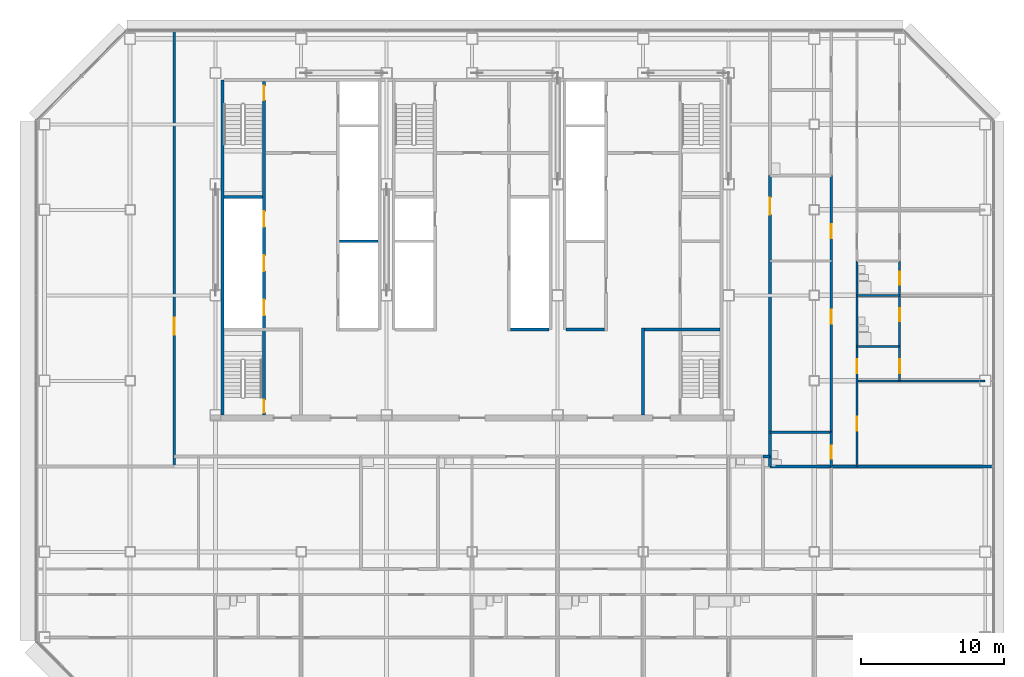
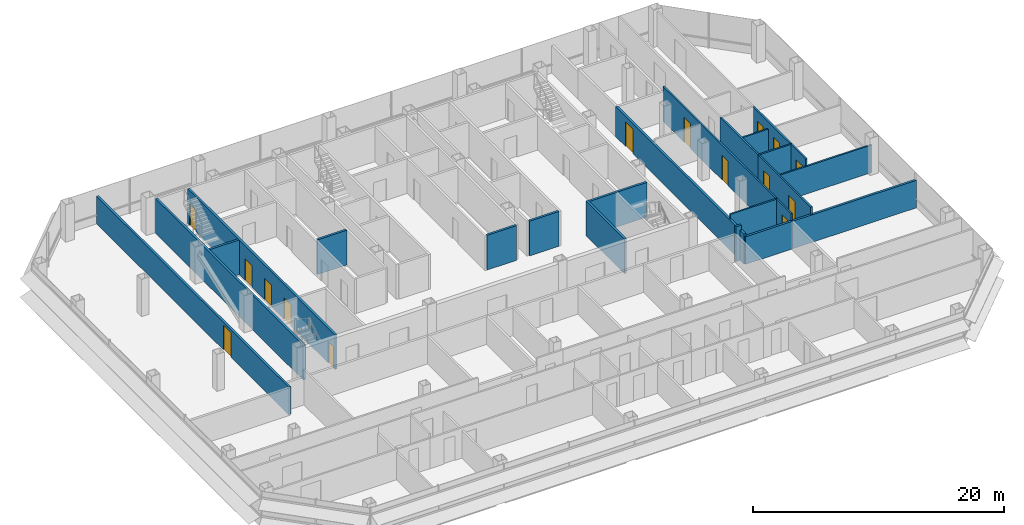
# One storey, part 21 of 26: 24 walls, 15 doors, 15 openings.
"""IFC4 building model written with IfcOpenShell, lengths in metres."""

from ifc_helpers import new_model, si_unit, direction, frame, frame_2d, origin, place, context, subcontext, project, spatial, rectangle, extrude, material, layer, layer_set, type_object, element, fill, save


model = new_model("IFC4")

# Units and contexts
model_context = context("Model", 3, precision=1e-05, world=origin(), true_north=direction((0.0, 1.0)))
body_context = subcontext(model_context, "Body", "Model", "MODEL_VIEW")
ifc_project = project(units=[si_unit("LENGTHUNIT", "METRE"), si_unit("AREAUNIT", "SQUARE_METRE"), si_unit("VOLUMEUNIT", "CUBIC_METRE"), si_unit("PLANEANGLEUNIT", "RADIAN"), si_unit("MASSUNIT", "GRAM", prefix="KILO")], contexts=[model_context])

# Site, building, storey
site_placement = place(None, origin())
site = spatial("IfcSite", under=ifc_project, at=site_placement, CompositionType="ELEMENT")
building_placement = place(site_placement, origin())
building = spatial("IfcBuilding", under=site, at=building_placement, Name="Sorahane Residences", CompositionType="ELEMENT")
storey_placement = place(building_placement, frame((0.0, 0.0, 110.60009765625)))
storey = spatial("IfcBuildingStorey", under=building, at=storey_placement, Name="L24", CompositionType="ELEMENT", Elevation=110.60009765625)

# Wall
ifc_material_1 = material(Name="Concrete C30", Category="concrete")
ifc_layer_1 = layer(ifc_material_1, 0.199951171875)
ifc_layer_set_1 = layer_set([ifc_layer_1], Name="Core face wall 200 EI 180")
wall_type_1 = type_object("IfcWallType", Name="Core face wall 200 EI 180", PredefinedType="SOLIDWALL", material=ifc_layer_set_1)
wall_1_placement = place(storey_placement, frame((6.5, 21.60009765625, 0.0), z_axis=(0.0, 0.0, 1.0), x_axis=(0.0, 1.0, 0.0)))
element("IfcWall", 1, at=wall_1_placement, inside=storey, type_object=wall_type_1, Name="L24 core face wall", PredefinedType="SOLIDWALL", context=body_context, shape_type="SweptSolid", body=[
    extrude(rectangle(XDim=23.5, YDim=0.199951171875, at=frame_2d((11.75, 0.0))), origin(), (0.0, 0.0, 1.0), 3.3798828125),
])

# Wall, opening, door
ifc_material_2 = material(Name="Concrete blockwork C20 wall", Category="masonry")
ifc_layer_2 = layer(ifc_material_2, 0.199951171875)
ifc_layer_set_2 = layer_set([ifc_layer_2], Name="Corridor wall 200 EI 120")
wall_type_2 = type_object("IfcWallType", Name="Corridor wall 200 EI 120", PredefinedType="SOLIDWALL", material=ifc_layer_set_2)
wall_2_placement = place(storey_placement, frame((3.10009765625, 18.0, 0.0), z_axis=(0.0, 0.0, 1.0), x_axis=(0.0, 1.0, 0.0)))
wall_2 = element("IfcWall", 2, at=wall_2_placement, inside=storey, type_object=wall_type_2, Name="L24 corridor wall", PredefinedType="SOLIDWALL", context=body_context, shape_type="SweptSolid", body=[
    extrude(rectangle(XDim=30.60009765625, YDim=0.199951171875, at=frame_2d((15.300048828125, 0.0))), origin(), (0.0, 0.0, 1.0), 2.679931640625),
])
opening_1_placement = place(wall_2_placement, frame((9.22998046875, 0.0, 0.0)))
opening_1 = element("IfcOpeningElement", 3, at=opening_1_placement, cuts=wall_2, Name="Opening L24-47", PredefinedType="OPENING", context=body_context, shape_type="SweptSolid", body=[
    extrude(rectangle(XDim=1.199951171875, YDim=2.39990234375, at=frame_2d((0.60009765625, 1.199951171875))), frame((0.0, 0.10986328125, 0.0), z_axis=(0.0, -1.0, 0.0), x_axis=(1.0, 0.0, 0.0)), (0.0, 0.0, 1.0), 0.219970703125),
])
ifc_material_3 = material(Name="Steel", Category="steel")
door_type_1 = type_object("IfcDoorType", Name="Lobby door 1200x2400 FD60", OperationType="NOTDEFINED", PredefinedType="DOOR", material=ifc_material_3)
door_1_placement = place(opening_1_placement, origin())
door_1 = element("IfcDoor", 4, at=door_1_placement, inside=storey, type_object=door_type_1, Name="Lobby door L24-47", OperationType="SINGLE_SWING_LEFT", OverallHeight=2.39990234375, OverallWidth=1.199951171875, PredefinedType="DOOR", context=body_context, shape_type="SweptSolid", body=[
    extrude(rectangle(XDim=1.199951171875, YDim=2.39990234375, at=frame_2d((0.60009765625, 1.199951171875))), frame((0.0, 0.02490234375, 0.0), z_axis=(0.0, -1.0, 0.0), x_axis=(1.0, 0.0, 0.0)), (0.0, 0.0, 1.0), 0.050048828125),
])
fill(opening_1, door_1)

wall_3_placement = place(storey_placement, frame((44.89990234375, 18.699951171875, 0.0), z_axis=(0.0, 0.0, 1.0), x_axis=(0.0, 1.0, 0.0)))
wall_3 = element("IfcWall", 5, at=wall_3_placement, inside=storey, type_object=wall_type_2, Name="L24 corridor wall", PredefinedType="SOLIDWALL", context=body_context, shape_type="SweptSolid", body=[
    extrude(rectangle(XDim=19.699951171875, YDim=0.199951171875, at=frame_2d((9.85009765625, 0.0))), origin(), (0.0, 0.0, 1.0), 2.929931640625),
])
opening_2_placement = place(wall_3_placement, frame((16.9599609375, 0.0, 0.0)))
opening_2 = element("IfcOpeningElement", 6, at=opening_2_placement, cuts=wall_3, Name="Opening L24-46", PredefinedType="OPENING", context=body_context, shape_type="SweptSolid", body=[
    extrude(rectangle(XDim=1.199951171875, YDim=2.39990234375, at=frame_2d((0.60009765625, 1.199951171875))), frame((0.0, 0.10986328125, 0.0), z_axis=(0.0, -1.0, 0.0), x_axis=(1.0, 0.0, 0.0)), (0.0, 0.0, 1.0), 0.219970703125),
])
ifc_material_4 = material(Name="Timber veneered fire door", Category="wood")
door_type_2 = type_object("IfcDoorType", Name="Flat entrance door 1200x2400 FD60", OperationType="NOTDEFINED", PredefinedType="DOOR", material=ifc_material_4)
door_2_placement = place(opening_2_placement, frame((1.199951171875, 0.0, 0.0), z_axis=(0.0, 0.0, 1.0), x_axis=(-1.0, 0.0, 0.0)))
door_2 = element("IfcDoor", 7, at=door_2_placement, inside=storey, type_object=door_type_2, Name="Flat entrance door L24-46", OperationType="SINGLE_SWING_RIGHT", OverallHeight=2.39990234375, OverallWidth=1.199951171875, PredefinedType="DOOR", context=body_context, shape_type="SweptSolid", body=[
    extrude(rectangle(XDim=1.199951171875, YDim=2.39990234375, at=frame_2d((0.60009765625, 1.199951171875))), frame((0.0, 0.02490234375, 0.0), z_axis=(0.0, -1.0, 0.0), x_axis=(1.0, 0.0, 0.0)), (0.0, 0.0, 1.0), 0.050048828125),
])
fill(opening_2, door_2)

# Walls
ifc_material_5 = material(Name="Concrete C30", Category="concrete")
ifc_layer_3 = layer(ifc_material_5, 0.199951171875)
ifc_layer_set_3 = layer_set([ifc_layer_3], Name="Front room wall 200 EI 120")
wall_type_3 = type_object("IfcWallType", Name="Front room wall 200 EI 120", PredefinedType="PARTITIONING", material=ifc_layer_set_3)
wall_4_placement = place(storey_placement, frame((36.0, 21.60009765625, 0.0), z_axis=(0.0, 0.0, 1.0), x_axis=(0.0, 1.0, 0.0)))
element("IfcWall", 8, at=wall_4_placement, inside=storey, type_object=wall_type_3, Name="L24 front room wall", PredefinedType="PARTITIONING", context=body_context, shape_type="SweptSolid", body=[
    extrude(rectangle(XDim=6.099853515625, YDim=0.199951171875, at=frame_2d((3.0498046875, 0.0))), origin(), (0.0, 0.0, 1.0), 3.3798828125),
])
ifc_material_6 = material(Name="Concrete blockwork C20 wall", Category="masonry")
ifc_layer_4 = layer(ifc_material_6, 0.199951171875)
ifc_layer_set_4 = layer_set([ifc_layer_4], Name="Kitchen wall 200 EI 180")
wall_type_4 = type_object("IfcWallType", Name="Kitchen wall 200 EI 180", PredefinedType="SOLIDWALL", material=ifc_layer_set_4)
wall_5_placement = place(storey_placement, frame((44.89990234375, 18.0, 0.0), z_axis=(0.0, 0.0, 1.0), x_axis=(0.0, 1.0, 0.0)))
element("IfcWall", 9, at=wall_5_placement, inside=storey, type_object=wall_type_4, Name="L24 kitchen wall", PredefinedType="SOLIDWALL", context=body_context, shape_type="SweptSolid", body=[
    extrude(rectangle(XDim=0.699951171875, YDim=0.199951171875, at=frame_2d((0.35009765625, 0.0))), origin(), (0.0, 0.0, 1.0), 2.929931640625),
])
wall_6_placement = place(storey_placement, frame((44.89990234375, 18.0, 0.0), z_axis=(0.0, 0.0, 1.0), x_axis=(1.0, 0.0, 0.0)))
element("IfcWall", 10, at=wall_6_placement, inside=storey, type_object=wall_type_4, Name="L24 kitchen wall", PredefinedType="SOLIDWALL", context=body_context, shape_type="SweptSolid", body=[
    extrude(rectangle(XDim=4.300048828125, YDim=0.199951171875, at=frame_2d((2.14990234375, 0.0))), origin(), (0.0, 0.0, 1.0), 2.679931640625),
])
wall_7_placement = place(storey_placement, frame((44.39990234375, 18.699951171875, 0.0), z_axis=(0.0, 0.0, 1.0), x_axis=(1.0, 0.0, 0.0)))
element("IfcWall", 11, at=wall_7_placement, inside=storey, type_object=wall_type_4, Name="L24 kitchen wall", PredefinedType="SOLIDWALL", context=body_context, shape_type="SweptSolid", body=[
    extrude(rectangle(XDim=0.5, YDim=0.199951171875, at=frame_2d((0.25, 0.0))), origin(), (0.0, 0.0, 1.0), 3.3798828125),
])
ifc_material_7 = material(Name="Concrete C30", Category="concrete")
ifc_layer_5 = layer(ifc_material_7, 0.199951171875)
ifc_layer_set_5 = layer_set([ifc_layer_5], Name="Lift shaft wall 200 EI 120")
wall_type_5 = type_object("IfcWallType", Name="Lift shaft wall 200 EI 120", PredefinedType="SOLIDWALL", material=ifc_layer_set_5)
wall_8_placement = place(storey_placement, frame((14.699951171875, 33.800048828125, 0.0), z_axis=(0.0, 0.0, 1.0), x_axis=(1.0, 0.0, 0.0)))
element("IfcWall", 12, at=wall_8_placement, inside=storey, type_object=wall_type_5, Name="L24 lift shaft wall", PredefinedType="SOLIDWALL", context=body_context, shape_type="SweptSolid", body=[
    extrude(rectangle(XDim=2.699951171875, YDim=0.199951171875, at=frame_2d((1.35009765625, 0.0))), origin(), (0.0, 0.0, 1.0), 3.3798828125),
])

# Wall, openings, doors
ifc_material_8 = material(Name="Gypsum board partition on steel studs", Category="steel")
ifc_layer_6 = layer(ifc_material_8, 0.14990234375)
ifc_layer_set_6 = layer_set([ifc_layer_6], Name="Partition 150 EI 90")
wall_type_6 = type_object("IfcWallType", Name="Partition 150 EI 90", PredefinedType="PARTITIONING", material=ifc_layer_set_6)
wall_9_placement = place(storey_placement, frame((49.199951171875, 20.39990234375, 0.0), z_axis=(0.0, 0.0, 1.0), x_axis=(0.0, 1.0, 0.0)))
wall_9 = element("IfcWall", 13, at=wall_9_placement, inside=storey, type_object=wall_type_6, Name="L24 partition", PredefinedType="PARTITIONING", context=body_context, shape_type="SweptSolid", body=[
    extrude(rectangle(XDim=18.0, YDim=0.14990234375, at=frame_2d((9.0, 0.0))), origin(), (0.0, 0.0, 1.0), 3.3798828125),
])
opening_3_placement = place(wall_9_placement, frame((13.60009765625, 0.0, 0.0)))
opening_3 = element("IfcOpeningElement", 14, at=opening_3_placement, cuts=wall_9, Name="Opening L24-30", PredefinedType="OPENING", context=body_context, shape_type="SweptSolid", body=[
    extrude(rectangle(XDim=1.0, YDim=2.39990234375, at=frame_2d((0.5, 1.199951171875))), frame((0.0, 0.0849609375, 0.0), z_axis=(0.0, -1.0, 0.0), x_axis=(1.0, 0.0, 0.0)), (0.0, 0.0, 1.0), 0.169921875),
])
opening_4_placement = place(wall_9_placement, frame((7.60009765625, 0.0, 0.0)))
opening_4 = element("IfcOpeningElement", 15, at=opening_4_placement, cuts=wall_9, Name="Opening L24-32", PredefinedType="OPENING", context=body_context, shape_type="SweptSolid", body=[
    extrude(rectangle(XDim=1.0, YDim=2.39990234375, at=frame_2d((0.5, 1.199951171875))), frame((0.0, 0.0849609375, 0.0), z_axis=(0.0, -1.0, 0.0), x_axis=(1.0, 0.0, 0.0)), (0.0, 0.0, 1.0), 0.169921875),
])
ifc_material_9 = material(Name="Timber veneered fire door", Category="wood")
door_type_3 = type_object("IfcDoorType", Name="Room door 1000x2400 FD30", OperationType="NOTDEFINED", PredefinedType="DOOR", material=ifc_material_9)
door_3_placement = place(opening_3_placement, frame((1.0, 0.0, 0.0), z_axis=(0.0, 0.0, 1.0), x_axis=(-1.0, 0.0, 0.0)))
door_3 = element("IfcDoor", 16, at=door_3_placement, inside=storey, type_object=door_type_3, Name="Room door L24-30", OperationType="SINGLE_SWING_LEFT", OverallHeight=2.39990234375, OverallWidth=1.0, PredefinedType="DOOR", context=body_context, shape_type="SweptSolid", body=[
    extrude(rectangle(XDim=1.0, YDim=2.39990234375, at=frame_2d((0.5, 1.199951171875))), frame((0.0, 0.02490234375, 0.0), z_axis=(0.0, -1.0, 0.0), x_axis=(1.0, 0.0, 0.0)), (0.0, 0.0, 1.0), 0.050048828125),
])
fill(opening_3, door_3)
door_4_placement = place(opening_4_placement, origin())
door_4 = element("IfcDoor", 17, at=door_4_placement, inside=storey, type_object=door_type_3, Name="Room door L24-32", OperationType="SINGLE_SWING_LEFT", OverallHeight=2.39990234375, OverallWidth=1.0, PredefinedType="DOOR", context=body_context, shape_type="SweptSolid", body=[
    extrude(rectangle(XDim=1.0, YDim=2.39990234375, at=frame_2d((0.5, 1.199951171875))), frame((0.0, 0.02490234375, 0.0), z_axis=(0.0, -1.0, 0.0), x_axis=(1.0, 0.0, 0.0)), (0.0, 0.0, 1.0), 0.050048828125),
])
fill(opening_4, door_4)

wall_10_placement = place(storey_placement, frame((51.0, 18.0, 0.0), z_axis=(0.0, 0.0, 1.0), x_axis=(0.0, 1.0, 0.0)))
wall_10 = element("IfcWall", 18, at=wall_10_placement, inside=storey, type_object=wall_type_6, Name="L24 partition", PredefinedType="PARTITIONING", context=body_context, shape_type="SweptSolid", body=[
    extrude(rectangle(XDim=8.39990234375, YDim=0.14990234375, at=frame_2d((4.199951171875, 0.0))), origin(), (0.0, 0.0, 1.0), 3.3798828125),
])
opening_5_placement = place(wall_10_placement, frame((2.5, 0.0, 0.0)))
opening_5 = element("IfcOpeningElement", 19, at=opening_5_placement, cuts=wall_10, Name="Opening L24-35", PredefinedType="OPENING", context=body_context, shape_type="SweptSolid", body=[
    extrude(rectangle(XDim=1.0, YDim=2.39990234375, at=frame_2d((0.5, 1.199951171875))), frame((0.0, 0.0849609375, 0.0), z_axis=(0.0, -1.0, 0.0), x_axis=(1.0, 0.0, 0.0)), (0.0, 0.0, 1.0), 0.169921875),
])
opening_6_placement = place(wall_10_placement, frame((6.52001953125, 0.0, 0.0)))
opening_6 = element("IfcOpeningElement", 20, at=opening_6_placement, cuts=wall_10, Name="Opening L24-36", PredefinedType="OPENING", context=body_context, shape_type="SweptSolid", body=[
    extrude(rectangle(XDim=1.0, YDim=2.39990234375, at=frame_2d((0.5, 1.199951171875))), frame((0.0, 0.0849609375, 0.0), z_axis=(0.0, -1.0, 0.0), x_axis=(1.0, 0.0, 0.0)), (0.0, 0.0, 1.0), 0.169921875),
])
door_5_placement = place(opening_5_placement, frame((1.0, 0.0, 0.0), z_axis=(0.0, 0.0, 1.0), x_axis=(-1.0, 0.0, 0.0)))
door_5 = element("IfcDoor", 21, at=door_5_placement, inside=storey, type_object=door_type_3, Name="Room door L24-35", OperationType="SINGLE_SWING_RIGHT", OverallHeight=2.39990234375, OverallWidth=1.0, PredefinedType="DOOR", context=body_context, shape_type="SweptSolid", body=[
    extrude(rectangle(XDim=1.0, YDim=2.39990234375, at=frame_2d((0.5, 1.199951171875))), frame((0.0, 0.02490234375, 0.0), z_axis=(0.0, -1.0, 0.0), x_axis=(1.0, 0.0, 0.0)), (0.0, 0.0, 1.0), 0.050048828125),
])
fill(opening_5, door_5)
door_6_placement = place(opening_6_placement, frame((1.0, 0.0, 0.0), z_axis=(0.0, 0.0, 1.0), x_axis=(-1.0, 0.0, 0.0)))
door_6 = element("IfcDoor", 22, at=door_6_placement, inside=storey, type_object=door_type_3, Name="Room door L24-36", OperationType="SINGLE_SWING_LEFT", OverallHeight=2.39990234375, OverallWidth=1.0, PredefinedType="DOOR", context=body_context, shape_type="SweptSolid", body=[
    extrude(rectangle(XDim=1.0, YDim=2.39990234375, at=frame_2d((0.5, 1.199951171875))), frame((0.0, 0.02490234375, 0.0), z_axis=(0.0, -1.0, 0.0), x_axis=(1.0, 0.0, 0.0)), (0.0, 0.0, 1.0), 0.050048828125),
])
fill(opening_6, door_6)

# Wall, opening, door
wall_11_placement = place(storey_placement, frame((54.0, 24.0, 0.0), z_axis=(0.0, 0.0, 1.0), x_axis=(0.0, 1.0, 0.0)))
wall_11 = element("IfcWall", 23, at=wall_11_placement, inside=storey, type_object=wall_type_6, Name="L24 partition", PredefinedType="PARTITIONING", context=body_context, shape_type="SweptSolid", body=[
    extrude(rectangle(XDim=2.39990234375, YDim=0.14990234375, at=frame_2d((1.199951171875, 0.0))), origin(), (0.0, 0.0, 1.0), 3.3798828125),
])
opening_7_placement = place(wall_11_placement, frame((0.52001953125, 0.0, 0.0)))
opening_7 = element("IfcOpeningElement", 24, at=opening_7_placement, cuts=wall_11, Name="Opening L24-39", PredefinedType="OPENING", context=body_context, shape_type="SweptSolid", body=[
    extrude(rectangle(XDim=1.0, YDim=2.39990234375, at=frame_2d((0.5, 1.199951171875))), frame((0.0, 0.0849609375, 0.0), z_axis=(0.0, -1.0, 0.0), x_axis=(1.0, 0.0, 0.0)), (0.0, 0.0, 1.0), 0.169921875),
])
door_7_placement = place(opening_7_placement, frame((1.0, 0.0, 0.0), z_axis=(0.0, 0.0, 1.0), x_axis=(-1.0, 0.0, 0.0)))
door_7 = element("IfcDoor", 25, at=door_7_placement, inside=storey, type_object=door_type_3, Name="Room door L24-39", OperationType="SINGLE_SWING_RIGHT", OverallHeight=2.39990234375, OverallWidth=1.0, PredefinedType="DOOR", context=body_context, shape_type="SweptSolid", body=[
    extrude(rectangle(XDim=1.0, YDim=2.39990234375, at=frame_2d((0.5, 1.199951171875))), frame((0.0, 0.02490234375, 0.0), z_axis=(0.0, -1.0, 0.0), x_axis=(1.0, 0.0, 0.0)), (0.0, 0.0, 1.0), 0.050048828125),
])
fill(opening_7, door_7)

# Walls
wall_12_placement = place(storey_placement, frame((51.0, 24.0, 0.0), z_axis=(0.0, 0.0, 1.0), x_axis=(1.0, 0.0, 0.0)))
element("IfcWall", 26, at=wall_12_placement, inside=storey, type_object=wall_type_6, Name="L24 partition", PredefinedType="PARTITIONING", context=body_context, shape_type="SweptSolid", body=[
    extrude(rectangle(XDim=9.0, YDim=0.14990234375, at=frame_2d((4.5, 0.0))), origin(), (0.0, 0.0, 1.0), 2.679931640625),
])
ifc_material_10 = material(Name="Concrete blockwork C20 wall", Category="masonry")
ifc_layer_7 = layer(ifc_material_10, 0.199951171875)
ifc_layer_set_7 = layer_set([ifc_layer_7], Name="Party wall 200 EI 120")
wall_type_7 = type_object("IfcWallType", Name="Party wall 200 EI 120", PredefinedType="SOLIDWALL", material=ifc_layer_set_7)
wall_13_placement = place(storey_placement, frame((49.199951171875, 18.0, 0.0), z_axis=(0.0, 0.0, 1.0), x_axis=(1.0, 0.0, 0.0)))
element("IfcWall", 27, at=wall_13_placement, inside=storey, type_object=wall_type_7, Name="L24 party wall", PredefinedType="SOLIDWALL", context=body_context, shape_type="SweptSolid", body=[
    extrude(rectangle(XDim=11.400146484375, YDim=0.199951171875, at=frame_2d((5.7001953125, 0.0))), origin(), (0.0, 0.0, 1.0), 2.679931640625),
])
ifc_material_11 = material(Name="Concrete C30", Category="concrete")
ifc_layer_8 = layer(ifc_material_11, 0.199951171875)
ifc_layer_set_8 = layer_set([ifc_layer_8], Name="Riser shaft wall 200 EI 120")
wall_type_8 = type_object("IfcWallType", Name="Riser shaft wall 200 EI 120", PredefinedType="SOLIDWALL", material=ifc_layer_set_8)
wall_14_placement = place(storey_placement, frame((26.699951171875, 27.60009765625, 0.0), z_axis=(0.0, 0.0, 1.0), x_axis=(1.0, 0.0, 0.0)))
element("IfcWall", 28, at=wall_14_placement, inside=storey, type_object=wall_type_8, Name="L24 riser wall", PredefinedType="SOLIDWALL", context=body_context, shape_type="SweptSolid", body=[
    extrude(rectangle(XDim=2.699951171875, YDim=0.199951171875, at=frame_2d((1.35009765625, 0.0))), origin(), (0.0, 0.0, 1.0), 3.3798828125),
])
ifc_material_12 = material(Name="Concrete C30", Category="concrete")
ifc_layer_9 = layer(ifc_material_12, 0.199951171875)
ifc_layer_set_9 = layer_set([ifc_layer_9], Name="Service room partition 200 EI 60")
wall_type_9 = type_object("IfcWallType", Name="Service room partition 200 EI 60", PredefinedType="PARTITIONING", material=ifc_layer_set_9)
wall_15_placement = place(storey_placement, frame((30.60009765625, 27.60009765625, 0.0), z_axis=(0.0, 0.0, 1.0), x_axis=(1.0, 0.0, 0.0)))
element("IfcWall", 29, at=wall_15_placement, inside=storey, type_object=wall_type_9, Name="L24 service room wall", PredefinedType="PARTITIONING", context=body_context, shape_type="SweptSolid", body=[
    extrude(rectangle(XDim=2.699951171875, YDim=0.199951171875, at=frame_2d((1.35009765625, 0.0))), origin(), (0.0, 0.0, 1.0), 3.3798828125),
])

# Wall, openings, doors
ifc_material_13 = material(Name="Concrete C30", Category="concrete")
ifc_layer_10 = layer(ifc_material_13, 0.199951171875)
ifc_layer_set_10 = layer_set([ifc_layer_10], Name="Stair enclosure wall 200 EI 120")
wall_type_10 = type_object("IfcWallType", Name="Stair enclosure wall 200 EI 120", PredefinedType="SOLIDWALL", material=ifc_layer_set_10)
wall_16_placement = place(storey_placement, frame((9.39990234375, 21.60009765625, 0.0), z_axis=(0.0, 0.0, 1.0), x_axis=(0.0, 1.0, 0.0)))
wall_16 = element("IfcWall", 30, at=wall_16_placement, inside=storey, type_object=wall_type_10, Name="L24 stair enclosure wall", PredefinedType="SOLIDWALL", context=body_context, shape_type="SweptSolid", body=[
    extrude(rectangle(XDim=23.39990234375, YDim=0.199951171875, at=frame_2d((11.699951171875, 0.0))), origin(), (0.0, 0.0, 1.0), 3.3798828125),
])
opening_8_placement = place(wall_16_placement, frame((7.0, 0.0, 0.0)))
opening_8 = element("IfcOpeningElement", 31, at=opening_8_placement, cuts=wall_16, Name="Opening L24-C13", PredefinedType="OPENING", context=body_context, shape_type="SweptSolid", body=[
    extrude(rectangle(XDim=1.10009765625, YDim=2.10009765625, at=frame_2d((0.550048828125, 1.050048828125))), frame((0.0, 0.10986328125, 0.0), z_axis=(0.0, -1.0, 0.0), x_axis=(1.0, 0.0, 0.0)), (0.0, 0.0, 1.0), 0.219970703125),
])
opening_9_placement = place(wall_16_placement, frame((10.10009765625, 0.0, 0.0)))
opening_9 = element("IfcOpeningElement", 32, at=opening_9_placement, cuts=wall_16, Name="Opening L24-C14", PredefinedType="OPENING", context=body_context, shape_type="SweptSolid", body=[
    extrude(rectangle(XDim=1.10009765625, YDim=2.10009765625, at=frame_2d((0.550048828125, 1.050048828125))), frame((0.0, 0.10986328125, 0.0), z_axis=(0.0, -1.0, 0.0), x_axis=(1.0, 0.0, 0.0)), (0.0, 0.0, 1.0), 0.219970703125),
])
opening_10_placement = place(wall_16_placement, frame((13.199951171875, 0.0, 0.0)))
opening_10 = element("IfcOpeningElement", 33, at=opening_10_placement, cuts=wall_16, Name="Opening L24-C15", PredefinedType="OPENING", context=body_context, shape_type="SweptSolid", body=[
    extrude(rectangle(XDim=1.10009765625, YDim=2.10009765625, at=frame_2d((0.550048828125, 1.050048828125))), frame((0.0, 0.10986328125, 0.0), z_axis=(0.0, -1.0, 0.0), x_axis=(1.0, 0.0, 0.0)), (0.0, 0.0, 1.0), 0.219970703125),
])
opening_11_placement = place(wall_16_placement, frame((22.10009765625, 0.0, 0.0)))
opening_11 = element("IfcOpeningElement", 34, at=opening_11_placement, cuts=wall_16, Name="Opening L24-C19", PredefinedType="OPENING", context=body_context, shape_type="SweptSolid", body=[
    extrude(rectangle(XDim=1.0, YDim=2.10009765625, at=frame_2d((0.5, 1.050048828125))), frame((0.0, 0.10986328125, 0.0), z_axis=(0.0, -1.0, 0.0), x_axis=(1.0, 0.0, 0.0)), (0.0, 0.0, 1.0), 0.219970703125),
])
opening_12_placement = place(wall_16_placement, frame((0.175048828125, 0.0, 0.0)))
opening_12 = element("IfcOpeningElement", 35, at=opening_12_placement, cuts=wall_16, Name="Opening L24-C22", PredefinedType="OPENING", context=body_context, shape_type="SweptSolid", body=[
    extrude(rectangle(XDim=0.89990234375, YDim=2.10009765625, at=frame_2d((0.449951171875, 1.050048828125))), frame((0.0, 0.10986328125, 0.0), z_axis=(0.0, -1.0, 0.0), x_axis=(1.0, 0.0, 0.0)), (0.0, 0.0, 1.0), 0.219970703125),
])
ifc_material_14 = material(Name="Aluminium and stainless steel", Category="steel")
door_type_4 = type_object("IfcDoorType", Name="Lift landing door 1100x2100 E 60", OperationType="NOTDEFINED", PredefinedType="DOOR", material=ifc_material_14)
door_8_placement = place(opening_8_placement, origin())
door_8 = element("IfcDoor", 36, at=door_8_placement, inside=storey, type_object=door_type_4, Name="Lift landing door LR1 L24", OperationType="DOUBLE_DOOR_SLIDING", OverallHeight=2.10009765625, OverallWidth=1.10009765625, PredefinedType="DOOR", context=body_context, shape_type="SweptSolid", body=[
    extrude(rectangle(XDim=1.10009765625, YDim=2.10009765625, at=frame_2d((0.550048828125, 1.050048828125))), frame((0.0, 0.02490234375, 0.0), z_axis=(0.0, -1.0, 0.0), x_axis=(1.0, 0.0, 0.0)), (0.0, 0.0, 1.0), 0.050048828125),
])
fill(opening_8, door_8)
door_9_placement = place(opening_9_placement, origin())
door_9 = element("IfcDoor", 37, at=door_9_placement, inside=storey, type_object=door_type_4, Name="Lift landing door LR2 L24", OperationType="DOUBLE_DOOR_SLIDING", OverallHeight=2.10009765625, OverallWidth=1.10009765625, PredefinedType="DOOR", context=body_context, shape_type="SweptSolid", body=[
    extrude(rectangle(XDim=1.10009765625, YDim=2.10009765625, at=frame_2d((0.550048828125, 1.050048828125))), frame((0.0, 0.02490234375, 0.0), z_axis=(0.0, -1.0, 0.0), x_axis=(1.0, 0.0, 0.0)), (0.0, 0.0, 1.0), 0.050048828125),
])
fill(opening_9, door_9)
door_10_placement = place(opening_10_placement, origin())
door_10 = element("IfcDoor", 38, at=door_10_placement, inside=storey, type_object=door_type_4, Name="Lift landing door LR3 L24", OperationType="DOUBLE_DOOR_SLIDING", OverallHeight=2.10009765625, OverallWidth=1.10009765625, PredefinedType="DOOR", context=body_context, shape_type="SweptSolid", body=[
    extrude(rectangle(XDim=1.10009765625, YDim=2.10009765625, at=frame_2d((0.550048828125, 1.050048828125))), frame((0.0, 0.02490234375, 0.0), z_axis=(0.0, -1.0, 0.0), x_axis=(1.0, 0.0, 0.0)), (0.0, 0.0, 1.0), 0.050048828125),
])
fill(opening_10, door_10)
ifc_material_15 = material(Name="Steel", Category="steel")
door_type_5 = type_object("IfcDoorType", Name="Stair door 1000x2100 FD120", OperationType="NOTDEFINED", PredefinedType="DOOR", material=ifc_material_15)
door_11_placement = place(opening_11_placement, origin())
door_11 = element("IfcDoor", 39, at=door_11_placement, inside=storey, type_object=door_type_5, Name="Stair door S1 L24", OperationType="SINGLE_SWING_LEFT", OverallHeight=2.10009765625, OverallWidth=1.0, PredefinedType="DOOR", context=body_context, shape_type="SweptSolid", body=[
    extrude(rectangle(XDim=1.0, YDim=2.10009765625, at=frame_2d((0.5, 1.050048828125))), frame((0.0, 0.02490234375, 0.0), z_axis=(0.0, -1.0, 0.0), x_axis=(1.0, 0.0, 0.0)), (0.0, 0.0, 1.0), 0.050048828125),
])
fill(opening_11, door_11)
ifc_material_16 = material(Name="Steel", Category="steel")
door_type_6 = type_object("IfcDoorType", Name="Stair door 900x2100 FD120", OperationType="NOTDEFINED", PredefinedType="DOOR", material=ifc_material_16)
door_12_placement = place(opening_12_placement, origin())
door_12 = element("IfcDoor", 40, at=door_12_placement, inside=storey, type_object=door_type_6, Name="Stair door S4 L24", OperationType="SINGLE_SWING_LEFT", OverallHeight=2.10009765625, OverallWidth=0.89990234375, PredefinedType="DOOR", context=body_context, shape_type="SweptSolid", body=[
    extrude(rectangle(XDim=0.89990234375, YDim=2.10009765625, at=frame_2d((0.449951171875, 1.050048828125))), frame((0.0, 0.02490234375, 0.0), z_axis=(0.0, -1.0, 0.0), x_axis=(1.0, 0.0, 0.0)), (0.0, 0.0, 1.0), 0.050048828125),
])
fill(opening_12, door_12)

# Walls
wall_17_placement = place(storey_placement, frame((36.10009765625, 27.60009765625, 0.0), z_axis=(0.0, 0.0, 1.0), x_axis=(1.0, 0.0, 0.0)))
element("IfcWall", 41, at=wall_17_placement, inside=storey, type_object=wall_type_10, Name="L24 stair enclosure wall", PredefinedType="SOLIDWALL", context=body_context, shape_type="SweptSolid", body=[
    extrude(rectangle(XDim=5.2998046875, YDim=0.199951171875, at=frame_2d((2.64990234375, 0.0))), origin(), (0.0, 0.0, 1.0), 3.3798828125),
])
wall_18_placement = place(storey_placement, frame((6.60009765625, 36.89990234375, 0.0), z_axis=(0.0, 0.0, 1.0), x_axis=(1.0, 0.0, 0.0)))
element("IfcWall", 42, at=wall_18_placement, inside=storey, type_object=wall_type_10, Name="L24 stair enclosure wall", PredefinedType="SOLIDWALL", context=body_context, shape_type="SweptSolid", body=[
    extrude(rectangle(XDim=2.699951171875, YDim=0.199951171875, at=frame_2d((1.35009765625, 0.0))), origin(), (0.0, 0.0, 1.0), 3.3798828125),
])

# Wall, opening, door
ifc_material_17 = material(Name="Gypsum board partition on steel studs", Category="steel")
ifc_layer_11 = layer(ifc_material_17, 0.14990234375)
ifc_layer_set_11 = layer_set([ifc_layer_11], Name="Wet wall 150 EI 90")
wall_type_11 = type_object("IfcWallType", Name="Wet wall 150 EI 90", PredefinedType="PARTITIONING", material=ifc_layer_set_11)
wall_19_placement = place(storey_placement, frame((49.199951171875, 18.0, 0.0), z_axis=(0.0, 0.0, 1.0), x_axis=(0.0, 1.0, 0.0)))
wall_19 = element("IfcWall", 43, at=wall_19_placement, inside=storey, type_object=wall_type_11, Name="L24 wet wall", PredefinedType="PARTITIONING", context=body_context, shape_type="SweptSolid", body=[
    extrude(rectangle(XDim=2.39990234375, YDim=0.14990234375, at=frame_2d((1.199951171875, 0.0))), origin(), (0.0, 0.0, 1.0), 3.3798828125),
])
opening_13_placement = place(wall_19_placement, frame((0.550048828125, 0.0, 0.0)))
opening_13 = element("IfcOpeningElement", 44, at=opening_13_placement, cuts=wall_19, Name="Opening L24-31", PredefinedType="OPENING", context=body_context, shape_type="SweptSolid", body=[
    extrude(rectangle(XDim=0.89990234375, YDim=2.39990234375, at=frame_2d((0.449951171875, 1.199951171875))), frame((0.0, 0.0849609375, 0.0), z_axis=(0.0, -1.0, 0.0), x_axis=(1.0, 0.0, 0.0)), (0.0, 0.0, 1.0), 0.169921875),
])
ifc_material_18 = material(Name="Timber veneered fire door", Category="wood")
door_type_7 = type_object("IfcDoorType", Name="Bathroom door 900x2400 FD30", OperationType="NOTDEFINED", PredefinedType="DOOR", material=ifc_material_18)
door_13_placement = place(opening_13_placement, frame((0.89990234375, 0.0, 0.0), z_axis=(0.0, 0.0, 1.0), x_axis=(-1.0, 0.0, 0.0)))
door_13 = element("IfcDoor", 45, at=door_13_placement, inside=storey, type_object=door_type_7, Name="Bathroom door L24-31", OperationType="SINGLE_SWING_LEFT", OverallHeight=2.39990234375, OverallWidth=0.89990234375, PredefinedType="DOOR", context=body_context, shape_type="SweptSolid", body=[
    extrude(rectangle(XDim=0.89990234375, YDim=2.39990234375, at=frame_2d((0.449951171875, 1.199951171875))), frame((0.0, 0.02490234375, 0.0), z_axis=(0.0, -1.0, 0.0), x_axis=(1.0, 0.0, 0.0)), (0.0, 0.0, 1.0), 0.050048828125),
])
fill(opening_13, door_13)

# Wall
wall_20_placement = place(storey_placement, frame((51.0, 26.39990234375, 0.0), z_axis=(0.0, 0.0, 1.0), x_axis=(0.0, 1.0, 0.0)))
element("IfcWall", 46, at=wall_20_placement, inside=storey, type_object=wall_type_11, Name="L24 wet wall", PredefinedType="PARTITIONING", context=body_context, shape_type="SweptSolid", body=[
    extrude(rectangle(XDim=6.0, YDim=0.14990234375, at=frame_2d((3.0, 0.0))), origin(), (0.0, 0.0, 1.0), 3.3798828125),
])

# Wall, openings, doors
wall_21_placement = place(storey_placement, frame((54.0, 26.39990234375, 0.0), z_axis=(0.0, 0.0, 1.0), x_axis=(0.0, 1.0, 0.0)))
wall_21 = element("IfcWall", 47, at=wall_21_placement, inside=storey, type_object=wall_type_11, Name="L24 wet wall", PredefinedType="PARTITIONING", context=body_context, shape_type="SweptSolid", body=[
    extrude(rectangle(XDim=6.0, YDim=0.14990234375, at=frame_2d((3.0, 0.0))), origin(), (0.0, 0.0, 1.0), 3.3798828125),
])
opening_14_placement = place(wall_21_placement, frame((1.7900390625, 0.0, 0.0)))
opening_14 = element("IfcOpeningElement", 48, at=opening_14_placement, cuts=wall_21, Name="Opening L24-40", PredefinedType="OPENING", context=body_context, shape_type="SweptSolid", body=[
    extrude(rectangle(XDim=0.89990234375, YDim=2.39990234375, at=frame_2d((0.449951171875, 1.199951171875))), frame((0.0, 0.0849609375, 0.0), z_axis=(0.0, -1.0, 0.0), x_axis=(1.0, 0.0, 0.0)), (0.0, 0.0, 1.0), 0.169921875),
])
opening_15_placement = place(wall_21_placement, frame((4.35009765625, 0.0, 0.0)))
opening_15 = element("IfcOpeningElement", 49, at=opening_15_placement, cuts=wall_21, Name="Opening L24-42", PredefinedType="OPENING", context=body_context, shape_type="SweptSolid", body=[
    extrude(rectangle(XDim=0.89990234375, YDim=2.39990234375, at=frame_2d((0.449951171875, 1.199951171875))), frame((0.0, 0.0849609375, 0.0), z_axis=(0.0, -1.0, 0.0), x_axis=(1.0, 0.0, 0.0)), (0.0, 0.0, 1.0), 0.169921875),
])
door_14_placement = place(opening_14_placement, frame((0.89990234375, 0.0, 0.0), z_axis=(0.0, 0.0, 1.0), x_axis=(-1.0, 0.0, 0.0)))
door_14 = element("IfcDoor", 50, at=door_14_placement, inside=storey, type_object=door_type_7, Name="Bathroom door L24-40", OperationType="SINGLE_SWING_LEFT", OverallHeight=2.39990234375, OverallWidth=0.89990234375, PredefinedType="DOOR", context=body_context, shape_type="SweptSolid", body=[
    extrude(rectangle(XDim=0.89990234375, YDim=2.39990234375, at=frame_2d((0.449951171875, 1.199951171875))), frame((0.0, 0.02490234375, 0.0), z_axis=(0.0, -1.0, 0.0), x_axis=(1.0, 0.0, 0.0)), (0.0, 0.0, 1.0), 0.050048828125),
])
fill(opening_14, door_14)
door_15_placement = place(opening_15_placement, frame((0.89990234375, 0.0, 0.0), z_axis=(0.0, 0.0, 1.0), x_axis=(-1.0, 0.0, 0.0)))
door_15 = element("IfcDoor", 51, at=door_15_placement, inside=storey, type_object=door_type_7, Name="Bathroom door L24-42", OperationType="SINGLE_SWING_LEFT", OverallHeight=2.39990234375, OverallWidth=0.89990234375, PredefinedType="DOOR", context=body_context, shape_type="SweptSolid", body=[
    extrude(rectangle(XDim=0.89990234375, YDim=2.39990234375, at=frame_2d((0.449951171875, 1.199951171875))), frame((0.0, 0.02490234375, 0.0), z_axis=(0.0, -1.0, 0.0), x_axis=(1.0, 0.0, 0.0)), (0.0, 0.0, 1.0), 0.050048828125),
])
fill(opening_15, door_15)

# Walls
wall_22_placement = place(storey_placement, frame((44.89990234375, 20.39990234375, 0.0), z_axis=(0.0, 0.0, 1.0), x_axis=(1.0, 0.0, 0.0)))
element("IfcWall", 52, at=wall_22_placement, inside=storey, type_object=wall_type_11, Name="L24 wet wall", PredefinedType="PARTITIONING", context=body_context, shape_type="SweptSolid", body=[
    extrude(rectangle(XDim=4.300048828125, YDim=0.14990234375, at=frame_2d((2.14990234375, 0.0))), origin(), (0.0, 0.0, 1.0), 3.3798828125),
])
wall_23_placement = place(storey_placement, frame((51.0, 26.39990234375, 0.0), z_axis=(0.0, 0.0, 1.0), x_axis=(1.0, 0.0, 0.0)))
element("IfcWall", 53, at=wall_23_placement, inside=storey, type_object=wall_type_11, Name="L24 wet wall", PredefinedType="PARTITIONING", context=body_context, shape_type="SweptSolid", body=[
    extrude(rectangle(XDim=3.0, YDim=0.14990234375, at=frame_2d((1.5, 0.0))), origin(), (0.0, 0.0, 1.0), 3.3798828125),
])
wall_24_placement = place(storey_placement, frame((51.0, 30.0, 0.0), z_axis=(0.0, 0.0, 1.0), x_axis=(1.0, 0.0, 0.0)))
element("IfcWall", 54, at=wall_24_placement, inside=storey, type_object=wall_type_11, Name="L24 wet wall", PredefinedType="PARTITIONING", context=body_context, shape_type="SweptSolid", body=[
    extrude(rectangle(XDim=3.0, YDim=0.14990234375, at=frame_2d((1.5, 0.0))), origin(), (0.0, 0.0, 1.0), 2.679931640625),
])

save(model, "model.ifc")
